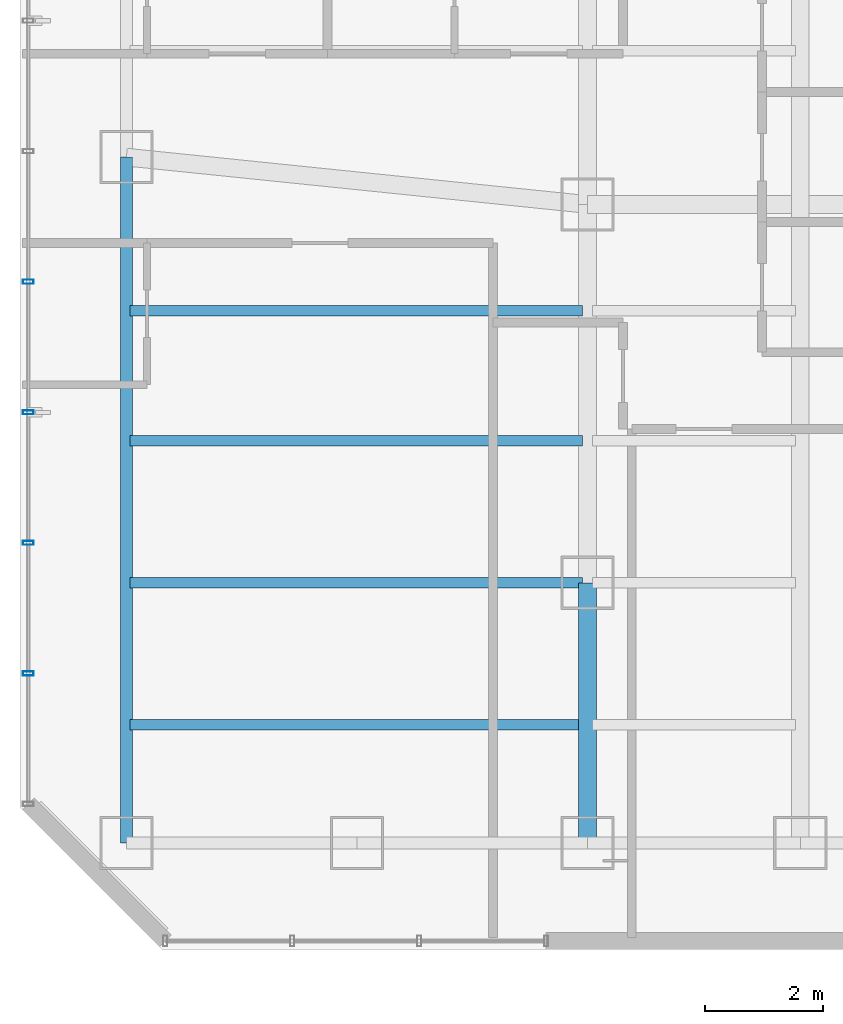
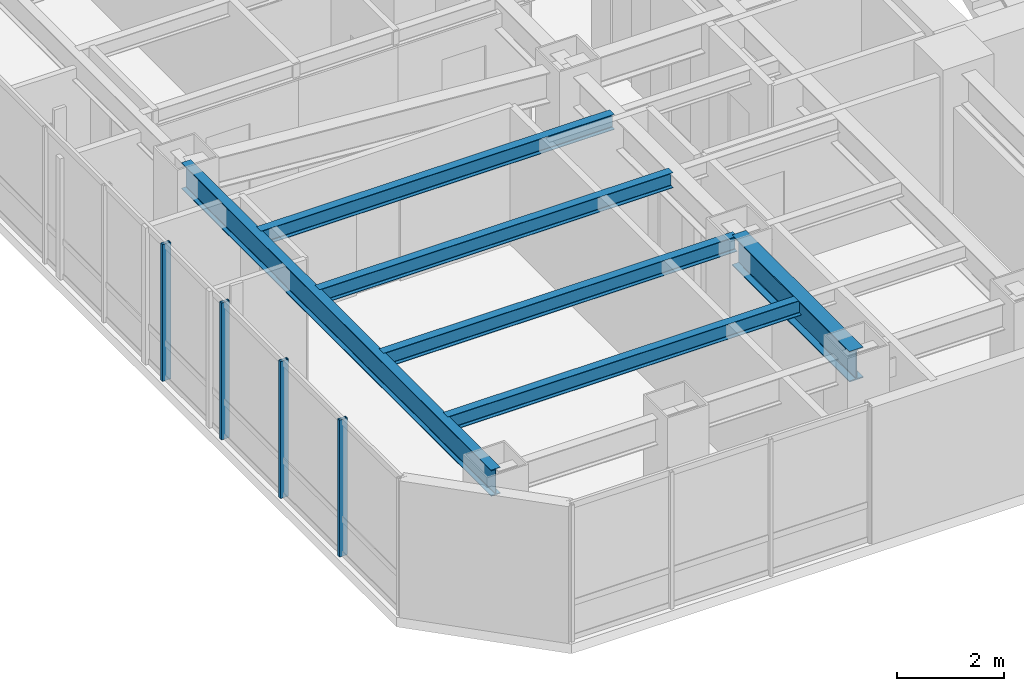
# One storey, part 4 of 31: 6 beams, 4 members, 1 element without a shape of its own.
"""IFC4 building model written with IfcOpenShell, lengths in metres."""

import ifcopenshell
import ifcopenshell.guid

model = None  # the IFC model being written
_history = None  # IfcOwnerHistory: only IFC2X3 demands one
_inside = {}  # id of a spatial element -> (the spatial element, [elements in it])
_under = {}  # id of a project, library or spatial element -> (it, [spatial elements below it])
_declared = {}  # id of a project -> (the project, [libraries it declares])
_typed = {}  # id of a type object -> (the type object, [elements of that type])
_made_of = {}  # id of a material, layer set ... -> (it, [elements and type objects made of it])


def new_model(schema):
    """Start an empty IFC model of exactly this schema.

    Asked for "IFC4X3", IfcOpenShell would pick the latest addendum, in which some entities
    have other attributes; the version numbers below select the first issue.
    IFC2X3 requires an IfcOwnerHistory on every rooted entity: one is made here for all.
    """
    global model, _history
    if schema == "IFC4X3":
        model = ifcopenshell.file(schema_version=(4, 3, 0, 0))
    else:
        model = ifcopenshell.file(schema=schema)
    _inside.clear()
    _under.clear()
    _declared.clear()
    _typed.clear()
    _made_of.clear()
    _history = None
    if model.schema == "IFC2X3":
        org = make("IfcOrganization", Name="unknown")
        user = make(
            "IfcPersonAndOrganization",
            ThePerson=make("IfcPerson", FamilyName="unknown"),
            TheOrganization=org,
        )
        app = make(
            "IfcApplication",
            ApplicationDeveloper=org,
            Version="unknown",
            ApplicationFullName="unknown",
            ApplicationIdentifier="unknown",
        )
        _history = make(
            "IfcOwnerHistory",
            OwningUser=user,
            OwningApplication=app,
            ChangeAction="ADDED",
            CreationDate=0,
        )
    return model


def make(cls, **values):
    """One entity of the class cls with the attributes given. An attribute that is None is left unset."""
    return model.create_entity(
        cls, **{name: value for name, value in values.items() if value is not None}
    )


def rooted(cls, **values):
    """An entity with a GlobalId (a new one), such as an element, a storey or a relation."""
    return make(cls, GlobalId=ifcopenshell.guid.new(), OwnerHistory=_history, **values)


def si_unit(unit_type, name, prefix=None):
    """IfcSIUnit, for example si_unit("LENGTHUNIT", "METRE", prefix="MILLI")."""
    return make("IfcSIUnit", UnitType=unit_type, Prefix=prefix, Name=name)


def assignment(units):
    """IfcUnitAssignment: the units of a project."""
    return None if units is None else make("IfcUnitAssignment", Units=units)


def point(xyz):
    """IfcCartesianPoint."""
    return None if xyz is None else make("IfcCartesianPoint", Coordinates=xyz)


def direction(xyz):
    """IfcDirection."""
    return None if xyz is None else make("IfcDirection", DirectionRatios=xyz)


def frame(location, z_axis=None, x_axis=None):
    """IfcAxis2Placement3D, a coordinate frame: its origin and axes. An axis left out is left unset."""
    return make(
        "IfcAxis2Placement3D",
        Location=point(location),
        Axis=direction(z_axis),
        RefDirection=direction(x_axis),
    )


def frame_2d(location, x_axis=None):
    """IfcAxis2Placement2D, a coordinate frame in the plane: its origin and x axis."""
    return make(
        "IfcAxis2Placement2D", Location=point(location), RefDirection=direction(x_axis)
    )


def origin():
    """The frame at (0, 0, 0) with its axes left unset."""
    return frame((0.0, 0.0, 0.0))


def origin_2d():
    """The frame at (0, 0) in the plane with its x axis left unset."""
    return frame_2d((0.0, 0.0))


def place(relative_to, where):
    """IfcLocalPlacement: puts the frame where relative to a parent placement (None: the world)."""
    return make(
        "IfcLocalPlacement", PlacementRelTo=relative_to, RelativePlacement=where
    )


def context(
    kind, dimensions, precision=None, world=None, true_north=None, identifier=None
):
    """IfcGeometricRepresentationContext, for example the 3D "Model" context."""
    return make(
        "IfcGeometricRepresentationContext",
        ContextIdentifier=identifier,
        ContextType=kind,
        CoordinateSpaceDimension=dimensions,
        Precision=precision,
        WorldCoordinateSystem=world,
        TrueNorth=true_north,
    )


def subcontext(parent, identifier, kind, view, scale=None):
    """IfcGeometricRepresentationSubContext, for example "Body" below "Model"."""
    return make(
        "IfcGeometricRepresentationSubContext",
        ContextIdentifier=identifier,
        ContextType=kind,
        ParentContext=parent,
        TargetScale=scale,
        TargetView=view,
    )


def project(units=None, contexts=None):
    """IfcProject with its units and contexts."""
    return rooted(
        "IfcProject",
        Name="project",
        RepresentationContexts=contexts,
        UnitsInContext=assignment(units),
    )


def spatial(cls, under=None, at=None, **own):
    """A site, building, storey or space (cls), placed at a placement, below another one or the project."""
    s = rooted(cls, ObjectPlacement=at, **own)
    if under is not None:
        _under.setdefault(under.id(), (under, []))[1].append(s)
    return s


def profile(cls, at=None, kind="AREA", **sizes):
    """A parametric profile (cls). Its sizes go by their IFC names, for example OverallWidth=200.0."""
    return make(cls, ProfileType=kind, Position=at, **sizes)


def hollow_rectangle(**sizes):
    """IfcRectangleHollowProfileDef."""
    return profile("IfcRectangleHollowProfileDef", **sizes)


def i_section(**sizes):
    """IfcIShapeProfileDef."""
    return profile("IfcIShapeProfileDef", **sizes)


def extrude(swept, where, along, depth):
    """IfcExtrudedAreaSolid: the profile swept, set in the frame where, extruded along a direction by depth."""
    return make(
        "IfcExtrudedAreaSolid",
        SweptArea=swept,
        Position=where,
        ExtrudedDirection=direction(along),
        Depth=depth,
    )


def shape(context_of_items, identifier, shape_type, items):
    """IfcShapeRepresentation: the items that make up one representation, for example the "Body"."""
    return make(
        "IfcShapeRepresentation",
        ContextOfItems=context_of_items,
        RepresentationIdentifier=identifier,
        RepresentationType=shape_type,
        Items=items,
    )


def material(Name=None, Category=None):
    """IfcMaterial."""
    return make("IfcMaterial", Name=Name, Category=Category)


def layer(
    of_material, thickness, ventilated=None, Name=None, Category=None, Priority=None
):
    """IfcMaterialLayer: one layer of a wall or slab, of a material (None: an air gap)."""
    return make(
        "IfcMaterialLayer",
        Material=of_material,
        LayerThickness=thickness,
        IsVentilated=ventilated,
        Name=Name,
        Category=Category,
        Priority=Priority,
    )


def layer_set(layers, Name=None):
    """IfcMaterialLayerSet."""
    return make("IfcMaterialLayerSet", MaterialLayers=layers, LayerSetName=Name)


def material_profile(
    of_material, cross_section, Name=None, Category=None, Priority=None
):
    """IfcMaterialProfile: a cross section and its material."""
    return make(
        "IfcMaterialProfile",
        Name=Name,
        Material=of_material,
        Profile=cross_section,
        Priority=Priority,
        Category=Category,
    )


def profile_set(profiles, Name=None, composite=None):
    """IfcMaterialProfileSet."""
    return make(
        "IfcMaterialProfileSet",
        Name=Name,
        MaterialProfiles=profiles,
        CompositeProfile=composite,
    )


def made_of(thing, what):
    """Note that an element or type object is made of a material, layer set ...; save() writes the relation."""
    if what is not None:
        _made_of.setdefault(what.id(), (what, []))[1].append(thing)
    return thing


def type_object(cls, material=None, **own):
    """A type object (cls), such as IfcWallType, which elements share."""
    return made_of(rooted(cls, **own), material)


def element(
    cls,
    number,
    at=None,
    inside=None,
    cuts=None,
    type_object=None,
    material=None,
    context=None,
    identifier="Body",
    shape_type=None,
    held_by="IfcProductDefinitionShape",
    body=None,
    shapes=None,
    **own,
):
    """One element of the class cls, such as IfcWall. Its Tag is "e" and its number.

    at: its placement. inside: the storey or other place that contains it. cuts: it is an
    opening in that element (IfcRelVoidsElement). A single representation is given by context,
    identifier, shape_type and body (its items); several are given by shapes. held_by: the class
    of the entity that holds the representations. save() writes the other relations.
    """
    e = rooted(cls, Tag="e%d" % number, ObjectPlacement=at, **own)
    if body is not None:
        shapes = [shape(context, identifier, shape_type, body)]
    if shapes is not None:
        e.Representation = make(held_by, Representations=shapes)
    if inside is not None:
        _inside.setdefault(inside.id(), (inside, []))[1].append(e)
    if cuts is not None:
        rooted(
            "IfcRelVoidsElement", RelatingBuildingElement=cuts, RelatedOpeningElement=e
        )
    if type_object is not None:
        _typed.setdefault(type_object.id(), (type_object, []))[1].append(e)
    return made_of(e, material)


def aggregate(whole, parts):
    """IfcRelAggregates: a whole, such as a stair, and the parts it consists of."""
    return rooted("IfcRelAggregates", RelatingObject=whole, RelatedObjects=parts)


def save(model, path):
    """Write the relations noted so far, then the file.

    IfcRelAggregates (storeys below a building ...), IfcRelContainedInSpatialStructure (elements
    in a storey), IfcRelDefinesByType, IfcRelAssociatesMaterial and IfcRelDeclares: one each for
    every whole, place, type object, material and project.
    """
    for whole, parts in _under.values():
        aggregate(whole, parts)
    for where, things in _inside.values():
        rooted(
            "IfcRelContainedInSpatialStructure",
            RelatedElements=things,
            RelatingStructure=where,
        )
    for kind, things in _typed.values():
        rooted("IfcRelDefinesByType", RelatedObjects=things, RelatingType=kind)
    for what, things in _made_of.values():
        rooted("IfcRelAssociatesMaterial", RelatedObjects=things, RelatingMaterial=what)
    for by, libraries in _declared.values():
        rooted("IfcRelDeclares", RelatingContext=by, RelatedDefinitions=libraries)
    model.write(path)


model = new_model("IFC4")

# Units and contexts
model_context = context("Model", 3, precision=1e-05, world=origin(), true_north=direction((0.0, 1.0)))
body_context = subcontext(model_context, "Body", "Model", "MODEL_VIEW")
ifc_project = project(units=[si_unit("LENGTHUNIT", "METRE"), si_unit("AREAUNIT", "SQUARE_METRE"), si_unit("VOLUMEUNIT", "CUBIC_METRE"), si_unit("PLANEANGLEUNIT", "RADIAN"), si_unit("MASSUNIT", "GRAM", prefix="KILO")], contexts=[model_context])

# Site, building, storey
site_placement = place(None, origin())
site = spatial("IfcSite", under=ifc_project, at=site_placement, CompositionType="ELEMENT")
building_placement = place(site_placement, origin())
building = spatial("IfcBuilding", under=site, at=building_placement, Name="Hatsunagi Terrace Concourse", CompositionType="ELEMENT")
storey_placement = place(building_placement, frame((0.0, 0.0, 81.300048828125)))
storey = spatial("IfcBuildingStorey", under=building, at=storey_placement, Name="L21", CompositionType="ELEMENT", Elevation=81.300048828125)

# Curtain wall, members
ifc_material_1 = material(Name="Anodised Aluminium Alloy 6063-T5", Category="aluminium")
ifc_layer = layer(ifc_material_1, 0.199951171875)
ifc_layer_set = layer_set([ifc_layer], Name="HotelFacade_CW02")
curtain_wall_type = type_object("IfcCurtainWallType", Name="HotelFacade_CW02", PredefinedType="NOTDEFINED", material=ifc_layer_set)
curtain_wall_placement = place(storey_placement, origin())
curtain_wall = element("IfcCurtainWall", 1, at=curtain_wall_placement, inside=storey, type_object=curtain_wall_type, Name="Unitised Curtain Wall CW-02 CW-L21-09", PredefinedType="NOTDEFINED")
ifc_material_2 = material(Name="Anodised Aluminium Alloy 6063-T5", Category="aluminium")
ifc_material_profile_1 = material_profile(ifc_material_2, hollow_rectangle(XDim=0.070068359375, YDim=0.179931640625, WallThickness=0.00390625, at=origin_2d()), Name="ALU-MUL-180x70x4")
ifc_profile_set_1 = profile_set([ifc_material_profile_1], Name="Anodised Aluminium Alloy 6063-T5")
member_type = type_object("IfcMemberType", Name="CurtainWallMullion_180x70", PredefinedType="MULLION", material=ifc_profile_set_1)
member_1_placement = place(storey_placement, frame((9.739990234375, 28.06591796875, 0.0), z_axis=(0.0, 0.0, 1.0), x_axis=(0.0, 1.0, 0.0)))
member_1 = element("IfcMember", 2, at=member_1_placement, type_object=member_type, Name="Curtain Wall Mullion MUL-02", PredefinedType="MULLION", context=body_context, shape_type="SweptSolid", body=[
    extrude(hollow_rectangle(XDim=0.070068359375, YDim=0.179931640625, WallThickness=0.00390625, at=origin_2d()), origin(), (0.0, 0.0, 1.0), 3.1298828125),
])
member_2_placement = place(storey_placement, frame((9.739990234375, 30.27490234375, 0.0), z_axis=(0.0, 0.0, 1.0), x_axis=(0.0, 1.0, 0.0)))
member_2 = element("IfcMember", 3, at=member_2_placement, type_object=member_type, Name="Curtain Wall Mullion MUL-02", PredefinedType="MULLION", context=body_context, shape_type="SweptSolid", body=[
    extrude(hollow_rectangle(XDim=0.070068359375, YDim=0.179931640625, WallThickness=0.00390625, at=origin_2d()), origin(), (0.0, 0.0, 1.0), 3.1298828125),
])
member_3_placement = place(storey_placement, frame((9.739990234375, 32.48291015625, 0.0), z_axis=(0.0, 0.0, 1.0), x_axis=(0.0, 1.0, 0.0)))
member_3 = element("IfcMember", 4, at=member_3_placement, type_object=member_type, Name="Curtain Wall Mullion MUL-02", PredefinedType="MULLION", context=body_context, shape_type="SweptSolid", body=[
    extrude(hollow_rectangle(XDim=0.070068359375, YDim=0.179931640625, WallThickness=0.00390625, at=origin_2d()), origin(), (0.0, 0.0, 1.0), 3.1298828125),
])
member_4_placement = place(storey_placement, frame((9.739990234375, 34.69189453125, 0.0), z_axis=(0.0, 0.0, 1.0), x_axis=(0.0, 1.0, 0.0)))
member_4 = element("IfcMember", 5, at=member_4_placement, type_object=member_type, Name="Curtain Wall Mullion MUL-02", PredefinedType="MULLION", context=body_context, shape_type="SweptSolid", body=[
    extrude(hollow_rectangle(XDim=0.070068359375, YDim=0.179931640625, WallThickness=0.00390625, at=origin_2d()), origin(), (0.0, 0.0, 1.0), 3.1298828125),
])
aggregate(curtain_wall, [member_1, member_2, member_3, member_4])

# Beams
ifc_material_3 = material(Name="Steel SN490B", Category="steel")
ifc_material_profile_2 = material_profile(ifc_material_3, i_section(OverallWidth=0.300048828125, OverallDepth=0.699951171875, WebThickness=0.012939453125, FlangeThickness=0.02392578125, FilletRadius=0.02197265625, at=origin_2d()), Name="H-700x300x13x24")
ifc_profile_set_2 = profile_set([ifc_material_profile_2], Name="Steel SN490B")
beam_type_1 = type_object("IfcBeamType", Name="HotelFloorGirder_H_700x300", PredefinedType="BEAM", material=ifc_profile_set_2)
beam_1_placement = place(storey_placement, frame((19.199951171875, 25.199951171875, 2.780029296875), z_axis=(0.0, 1.0, 0.0), x_axis=(-1.0, 0.0, 0.0)))
element("IfcBeam", 6, at=beam_1_placement, inside=storey, type_object=beam_type_1, Name="Beam G-04 BM-L21-NS-19-25", PredefinedType="BEAM", context=body_context, shape_type="SweptSolid", body=[
    extrude(i_section(OverallWidth=0.300048828125, OverallDepth=0.699951171875, WebThickness=0.012939453125, FlangeThickness=0.02392578125, FilletRadius=0.02197265625, at=origin_2d()), origin(), (0.0, 0.0, 1.0), 4.400146484375),
])
ifc_material_4 = material(Name="Steel SN490B", Category="steel")
ifc_material_profile_3 = material_profile(ifc_material_4, i_section(OverallWidth=0.175048828125, OverallDepth=0.35009765625, WebThickness=0.007080078125, FlangeThickness=0.010986328125, FilletRadius=0.012939453125, at=origin_2d()), Name="H-350x175x7x11")
ifc_profile_set_3 = profile_set([ifc_material_profile_3], Name="Steel SN490B")
beam_type_2 = type_object("IfcBeamType", Name="HotelJoist_H_350x175", PredefinedType="JOIST", material=ifc_profile_set_3)
for number, where, z_axis, x_axis, name in (
    (7, (11.465087890625, 27.199951171875, 2.954833984375), (1.0, 0.0, 0.0), (0.0, 1.0, 0.0), "Beam J-02 J-L21-W-11-272"),
    (8, (11.465087890625, 29.60009765625, 2.954833984375), (1.0, 0.0, 0.0), (0.0, 1.0, 0.0), "Beam J-02 J-L21-W-11-296"),
    (9, (11.465087890625, 32.0, 2.954833984375), (1.0, 0.0, 0.0), (0.0, 1.0, 0.0), "Beam J-02 J-L21-W-11-320"),
    (10, (11.465087890625, 34.199951171875, 2.954833984375), (1.0, 0.0, 0.0), (0.0, 1.0, 0.0), "Beam J-02 J-L21-W-11-342"),
):
    element("IfcBeam", number, at=place(storey_placement, frame(where, z_axis=z_axis, x_axis=x_axis)), inside=storey, type_object=beam_type_2, Name=name, PredefinedType="JOIST", context=body_context, shape_type="SweptSolid", body=[
        extrude(i_section(OverallWidth=0.175048828125, OverallDepth=0.35009765625, WebThickness=0.007080078125, FlangeThickness=0.010986328125, FilletRadius=0.012939453125, at=origin_2d()), origin(), (0.0, 0.0, 1.0), 7.64990234375),
    ])
ifc_material_5 = material(Name="Steel SN490B", Category="steel")
ifc_material_profile_4 = material_profile(ifc_material_5, i_section(OverallWidth=0.199951171875, OverallDepth=0.60009765625, WebThickness=0.010986328125, FlangeThickness=0.01708984375, FilletRadius=0.01806640625, at=origin_2d()), Name="H-600x200x11x17")
ifc_profile_set_4 = profile_set([ifc_material_profile_4], Name="Steel SN490B")
beam_type_3 = type_object("IfcBeamType", Name="PerimeterSpandrel_H_600x200", PredefinedType="SPANDREL", material=ifc_profile_set_4)
beam_2_placement = place(storey_placement, frame((11.39990234375, 25.199951171875, 2.829833984375), z_axis=(0.0, 1.0, 0.0), x_axis=(-1.0, 0.0, 0.0)))
element("IfcBeam", 11, at=beam_2_placement, inside=storey, type_object=beam_type_3, Name="Beam SP-01 BM-L21-NS-11-25", PredefinedType="SPANDREL", context=body_context, shape_type="SweptSolid", body=[
    extrude(i_section(OverallWidth=0.199951171875, OverallDepth=0.60009765625, WebThickness=0.010986328125, FlangeThickness=0.01708984375, FilletRadius=0.01806640625, at=origin_2d()), origin(), (0.0, 0.0, 1.0), 11.60009765625),
])

save(model, "model.ifc")
